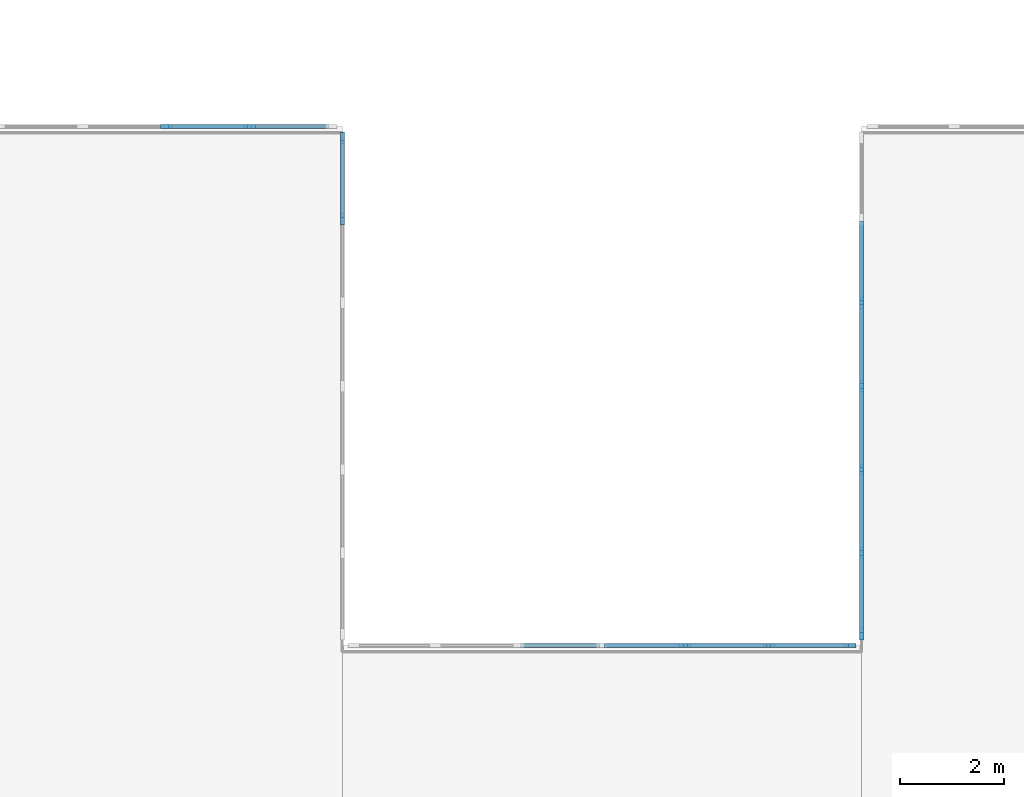
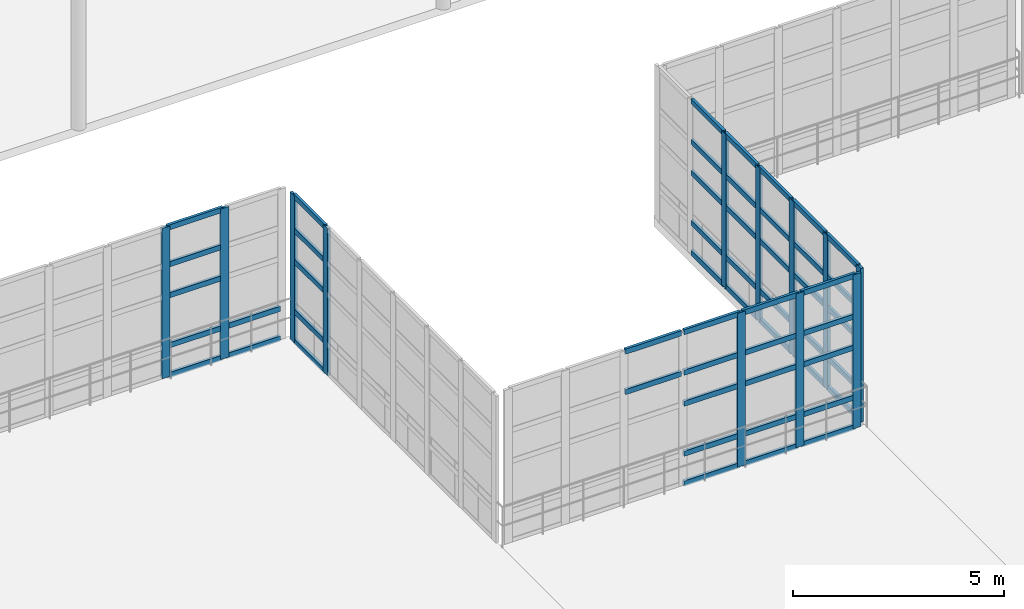
# One storey, part 55 of 139: 66 members, 4 elements without a shape of their own.
"""IFC4 building model written with IfcOpenShell, lengths in metres."""

from ifc_helpers import new_model, si_unit, direction, frame, origin, origin_2d, place, context, subcontext, project, spatial, rectangle, extrude, material, layer, layer_set, material_profile, profile_set, type_object, element, aggregate, save


model = new_model("IFC4")

# Units and contexts
model_context = context("Model", 3, precision=1e-05, world=origin(), true_north=direction((0.0, 1.0)))
body_context = subcontext(model_context, "Body", "Model", "MODEL_VIEW")
ifc_project = project(units=[si_unit("LENGTHUNIT", "METRE"), si_unit("AREAUNIT", "SQUARE_METRE"), si_unit("VOLUMEUNIT", "CUBIC_METRE"), si_unit("PLANEANGLEUNIT", "RADIAN"), si_unit("MASSUNIT", "GRAM", prefix="KILO"), si_unit("THERMODYNAMICTEMPERATUREUNIT", "KELVIN"), si_unit("POWERUNIT", "WATT")], contexts=[model_context])

# Site, building, storey
site_placement = place(None, origin())
site = spatial("IfcSite", under=ifc_project, at=site_placement, CompositionType="ELEMENT")
building_placement = place(site_placement, origin())
building = spatial("IfcBuilding", under=site, at=building_placement, Name="Korenveer Ferry Terminal", CompositionType="ELEMENT")
storey_placement = place(building_placement, frame((0.0, 0.0, 5.39990234375)))
storey = spatial("IfcBuildingStorey", under=building, at=storey_placement, Name="L01", CompositionType="ELEMENT", Elevation=5.39990234375)

# Curtain wall, members
ifc_material_1 = material(Name="Unitised bronze-and-glass curtain wall", Category="glass")
ifc_layer_1 = layer(ifc_material_1, 0.219970703125)
ifc_layer_set_1 = layer_set([ifc_layer_1], Name="Unitised bronze-and-glass curtain wall")
curtain_wall_type_1 = type_object("IfcCurtainWallType", Name="ENV-CW-52", PredefinedType="USERDEFINED", material=ifc_layer_set_1)
curtain_wall_1_placement = place(storey_placement, frame((83.179931640625, 80.0, 0.0)))
curtain_wall_1 = element("IfcCurtainWall", 1, at=curtain_wall_1_placement, inside=storey, type_object=curtain_wall_type_1, Name="Lancet curtain wall CWX-L01-X83-93-Y80-80", ObjectType="UNITISED CURTAIN WALL", PredefinedType="USERDEFINED")
ifc_material_2 = material(Name="Anodised bronze aluminium", Category="aluminium")
ifc_material_profile_1 = material_profile(ifc_material_2, rectangle(XDim=0.074951171875, YDim=0.219970703125, at=origin_2d()), Name="ALU 75x220")
ifc_profile_set_1 = profile_set([ifc_material_profile_1], Name="Anodised bronze aluminium")
member_type_1 = type_object("IfcMemberType", Name="ENV-CWM-75X220", PredefinedType="MULLION", material=ifc_profile_set_1)
member_1_placement = place(storey_placement, frame((89.606689453125, 80.0, 0.0), z_axis=(0.0, 0.0, 1.0), x_axis=(0.0, 1.0, 0.0)))
member_1 = element("IfcMember", 2, at=member_1_placement, type_object=member_type_1, Name="CW-52 mullion 5", PredefinedType="MULLION", context=body_context, shape_type="SweptSolid", body=[
    extrude(rectangle(XDim=0.074951171875, YDim=0.219970703125, at=origin_2d()), origin(), (0.0, 0.0, 1.0), 4.460205078125),
])
member_2_placement = place(storey_placement, frame((91.21337890625, 80.0, 0.0), z_axis=(0.0, 0.0, 1.0), x_axis=(0.0, 1.0, 0.0)))
member_2 = element("IfcMember", 3, at=member_2_placement, type_object=member_type_1, Name="CW-52 mullion 6", PredefinedType="MULLION", context=body_context, shape_type="SweptSolid", body=[
    extrude(rectangle(XDim=0.074951171875, YDim=0.219970703125, at=origin_2d()), origin(), (0.0, 0.0, 1.0), 4.460205078125),
])
member_3_placement = place(storey_placement, frame((92.782470703125, 80.0, 0.0), z_axis=(0.0, 0.0, 1.0), x_axis=(0.0, 1.0, 0.0)))
member_3 = element("IfcMember", 4, at=member_3_placement, type_object=member_type_1, Name="CW-52 mullion 7", PredefinedType="MULLION", context=body_context, shape_type="SweptSolid", body=[
    extrude(rectangle(XDim=0.074951171875, YDim=0.219970703125, at=origin_2d()), origin(), (0.0, 0.0, 1.0), 4.460205078125),
])

ifc_layer_2 = layer(ifc_material_1, 0.219970703125)
ifc_layer_set_2 = layer_set([ifc_layer_2], Name="Unitised bronze-and-glass curtain wall")
curtain_wall_type_2 = type_object("IfcCurtainWallType", Name="ENV-CW-54", PredefinedType="USERDEFINED", material=ifc_layer_set_2)
curtain_wall_2_placement = place(storey_placement, frame((73.179931640625, 90.0, 0.0)))
curtain_wall_2 = element("IfcCurtainWall", 5, at=curtain_wall_2_placement, inside=storey, type_object=curtain_wall_type_2, Name="Lancet curtain wall CWX-L01-X73-83-Y90-90", ObjectType="UNITISED CURTAIN WALL", PredefinedType="USERDEFINED")
member_4_placement = place(storey_placement, frame((79.606689453125, 90.0, 0.0), z_axis=(0.0, 0.0, 1.0), x_axis=(0.0, 1.0, 0.0)))
member_4 = element("IfcMember", 6, at=member_4_placement, type_object=member_type_1, Name="CW-54 mullion 5", PredefinedType="MULLION", context=body_context, shape_type="SweptSolid", body=[
    extrude(rectangle(XDim=0.074951171875, YDim=0.219970703125, at=origin_2d()), origin(), (0.0, 0.0, 1.0), 4.360107421875),
])
member_5_placement = place(storey_placement, frame((81.21337890625, 90.0, 0.0), z_axis=(0.0, 0.0, 1.0), x_axis=(0.0, 1.0, 0.0)))
member_5 = element("IfcMember", 7, at=member_5_placement, type_object=member_type_1, Name="CW-54 mullion 6", PredefinedType="MULLION", context=body_context, shape_type="SweptSolid", body=[
    extrude(rectangle(XDim=0.074951171875, YDim=0.219970703125, at=origin_2d()), origin(), (0.0, 0.0, 1.0), 4.360107421875),
])

ifc_layer_3 = layer(ifc_material_1, 0.219970703125)
ifc_layer_set_3 = layer_set([ifc_layer_3], Name="Unitised bronze-and-glass curtain wall")
curtain_wall_type_3 = type_object("IfcCurtainWallType", Name="ENV-CW-55", PredefinedType="USERDEFINED", material=ifc_layer_set_3)
curtain_wall_3_placement = place(storey_placement, frame((83.0, 89.820068359375, 0.0)))
curtain_wall_3 = element("IfcCurtainWall", 8, at=curtain_wall_3_placement, inside=storey, type_object=curtain_wall_type_3, Name="Lancet curtain wall CWX-L01-X83-83-Y80-90", ObjectType="UNITISED CURTAIN WALL", PredefinedType="USERDEFINED")
member_6_placement = place(storey_placement, frame((83.0, 89.782470703125, 0.0), z_axis=(0.0, 0.0, 1.0), x_axis=(1.0, 0.0, 0.0)))
member_6 = element("IfcMember", 9, at=member_6_placement, type_object=member_type_1, Name="CW-55 mullion 1", PredefinedType="MULLION", context=body_context, shape_type="SweptSolid", body=[
    extrude(rectangle(XDim=0.074951171875, YDim=0.219970703125, at=origin_2d()), origin(), (0.0, 0.0, 1.0), 4.260009765625),
])
member_7_placement = place(storey_placement, frame((83.0, 88.21337890625, 0.0), z_axis=(0.0, 0.0, 1.0), x_axis=(1.0, 0.0, 0.0)))
member_7 = element("IfcMember", 10, at=member_7_placement, type_object=member_type_1, Name="CW-55 mullion 2", PredefinedType="MULLION", context=body_context, shape_type="SweptSolid", body=[
    extrude(rectangle(XDim=0.074951171875, YDim=0.219970703125, at=origin_2d()), origin(), (0.0, 0.0, 1.0), 4.260009765625),
])

curtain_wall_4_placement = place(storey_placement, frame((93.0, 80.179931640625, 0.0)))
curtain_wall_4 = element("IfcCurtainWall", 11, at=curtain_wall_4_placement, inside=storey, type_object=curtain_wall_type_1, Name="Lancet curtain wall CWX-L01-X93-93-Y80-90", ObjectType="UNITISED CURTAIN WALL", PredefinedType="USERDEFINED")
member_8_placement = place(storey_placement, frame((93.0, 80.217529296875, 0.0), z_axis=(0.0, 0.0, 1.0), x_axis=(-1.0, 0.0, 0.0)))
member_8 = element("IfcMember", 12, at=member_8_placement, type_object=member_type_1, Name="CW-52 mullion 1", PredefinedType="MULLION", context=body_context, shape_type="SweptSolid", body=[
    extrude(rectangle(XDim=0.074951171875, YDim=0.219970703125, at=origin_2d()), origin(), (0.0, 0.0, 1.0), 4.460205078125),
])
member_9_placement = place(storey_placement, frame((93.0, 81.78662109375, 0.0), z_axis=(0.0, 0.0, 1.0), x_axis=(-1.0, 0.0, 0.0)))
member_9 = element("IfcMember", 13, at=member_9_placement, type_object=member_type_1, Name="CW-52 mullion 2", PredefinedType="MULLION", context=body_context, shape_type="SweptSolid", body=[
    extrude(rectangle(XDim=0.074951171875, YDim=0.219970703125, at=origin_2d()), origin(), (0.0, 0.0, 1.0), 4.460205078125),
])
member_10_placement = place(storey_placement, frame((93.0, 83.393310546875, 0.0), z_axis=(0.0, 0.0, 1.0), x_axis=(-1.0, 0.0, 0.0)))
member_10 = element("IfcMember", 14, at=member_10_placement, type_object=member_type_1, Name="CW-52 mullion 3", PredefinedType="MULLION", context=body_context, shape_type="SweptSolid", body=[
    extrude(rectangle(XDim=0.074951171875, YDim=0.219970703125, at=origin_2d()), origin(), (0.0, 0.0, 1.0), 4.460205078125),
])
member_11_placement = place(storey_placement, frame((93.0, 85.0, 0.0), z_axis=(0.0, 0.0, 1.0), x_axis=(-1.0, 0.0, 0.0)))
member_11 = element("IfcMember", 15, at=member_11_placement, type_object=member_type_1, Name="CW-52 mullion 4", PredefinedType="MULLION", context=body_context, shape_type="SweptSolid", body=[
    extrude(rectangle(XDim=0.074951171875, YDim=0.219970703125, at=origin_2d()), origin(), (0.0, 0.0, 1.0), 4.460205078125),
])
member_12_placement = place(storey_placement, frame((93.0, 86.606689453125, 0.0), z_axis=(0.0, 0.0, 1.0), x_axis=(-1.0, 0.0, 0.0)))
member_12 = element("IfcMember", 16, at=member_12_placement, type_object=member_type_1, Name="CW-52 mullion 5", PredefinedType="MULLION", context=body_context, shape_type="SweptSolid", body=[
    extrude(rectangle(XDim=0.074951171875, YDim=0.219970703125, at=origin_2d()), origin(), (0.0, 0.0, 1.0), 4.460205078125),
])

# Member
ifc_material_profile_2 = material_profile(ifc_material_2, rectangle(XDim=0.074951171875, YDim=0.14990234375, at=origin_2d()), Name="ALU 75x150")
ifc_profile_set_2 = profile_set([ifc_material_profile_2], Name="Anodised bronze aluminium")
member_type_2 = type_object("IfcMemberType", Name="ENV-CWT-75X150", PredefinedType="USERDEFINED", material=ifc_profile_set_2)
member_13_placement = place(storey_placement, frame((86.430908203125, 80.0, 3.25), z_axis=(1.0, 0.0, 0.0), x_axis=(0.0, 1.0, 0.0)))
member_13 = element("IfcMember", 17, at=member_13_placement, type_object=member_type_2, Name="CW-52 transom 3.4", ObjectType="TRANSOM", PredefinedType="USERDEFINED", context=body_context, shape_type="SweptSolid", body=[
    extrude(rectangle(XDim=0.074951171875, YDim=0.14990234375, at=origin_2d()), origin(), (0.0, 0.0, 1.0), 1.531494140625),
])

member_14_placement = place(storey_placement, frame((86.430908203125, 80.0, 4.422607421875), z_axis=(1.0, 0.0, 0.0), x_axis=(0.0, 1.0, 0.0)))
member_14 = element("IfcMember", 18, at=member_14_placement, type_object=member_type_2, Name="CW-52 transom 3.5", ObjectType="TRANSOM", PredefinedType="USERDEFINED", context=body_context, shape_type="SweptSolid", body=[
    extrude(rectangle(XDim=0.074951171875, YDim=0.14990234375, at=origin_2d()), origin(), (0.0, 0.0, 1.0), 1.531494140625),
])

member_15_placement = place(storey_placement, frame((88.03759765625, 80.0, 0.03759765625), z_axis=(1.0, 0.0, 0.0), x_axis=(0.0, 1.0, 0.0)))
member_15 = element("IfcMember", 19, at=member_15_placement, type_object=member_type_2, Name="CW-52 transom 4.1", ObjectType="TRANSOM", PredefinedType="USERDEFINED", context=body_context, shape_type="SweptSolid", body=[
    extrude(rectangle(XDim=0.074951171875, YDim=0.14990234375, at=origin_2d()), origin(), (0.0, 0.0, 1.0), 1.531494140625),
])

member_16_placement = place(storey_placement, frame((88.03759765625, 80.0, 0.900146484375), z_axis=(1.0, 0.0, 0.0), x_axis=(0.0, 1.0, 0.0)))
member_16 = element("IfcMember", 20, at=member_16_placement, type_object=member_type_2, Name="CW-52 transom 4.2", ObjectType="TRANSOM", PredefinedType="USERDEFINED", context=body_context, shape_type="SweptSolid", body=[
    extrude(rectangle(XDim=0.074951171875, YDim=0.14990234375, at=origin_2d()), origin(), (0.0, 0.0, 1.0), 1.531494140625),
])

member_17_placement = place(storey_placement, frame((88.03759765625, 80.0, 2.35009765625), z_axis=(1.0, 0.0, 0.0), x_axis=(0.0, 1.0, 0.0)))
member_17 = element("IfcMember", 21, at=member_17_placement, type_object=member_type_2, Name="CW-52 transom 4.3", ObjectType="TRANSOM", PredefinedType="USERDEFINED", context=body_context, shape_type="SweptSolid", body=[
    extrude(rectangle(XDim=0.074951171875, YDim=0.14990234375, at=origin_2d()), origin(), (0.0, 0.0, 1.0), 1.531494140625),
])

member_18_placement = place(storey_placement, frame((88.03759765625, 80.0, 3.25), z_axis=(1.0, 0.0, 0.0), x_axis=(0.0, 1.0, 0.0)))
member_18 = element("IfcMember", 22, at=member_18_placement, type_object=member_type_2, Name="CW-52 transom 4.4", ObjectType="TRANSOM", PredefinedType="USERDEFINED", context=body_context, shape_type="SweptSolid", body=[
    extrude(rectangle(XDim=0.074951171875, YDim=0.14990234375, at=origin_2d()), origin(), (0.0, 0.0, 1.0), 1.531494140625),
])

member_19_placement = place(storey_placement, frame((88.03759765625, 80.0, 4.422607421875), z_axis=(1.0, 0.0, 0.0), x_axis=(0.0, 1.0, 0.0)))
member_19 = element("IfcMember", 23, at=member_19_placement, type_object=member_type_2, Name="CW-52 transom 4.5", ObjectType="TRANSOM", PredefinedType="USERDEFINED", context=body_context, shape_type="SweptSolid", body=[
    extrude(rectangle(XDim=0.074951171875, YDim=0.14990234375, at=origin_2d()), origin(), (0.0, 0.0, 1.0), 1.531494140625),
])

member_20_placement = place(storey_placement, frame((89.644287109375, 80.0, 0.03759765625), z_axis=(1.0, 0.0, 0.0), x_axis=(0.0, 1.0, 0.0)))
member_20 = element("IfcMember", 24, at=member_20_placement, type_object=member_type_2, Name="CW-52 transom 5.1", ObjectType="TRANSOM", PredefinedType="USERDEFINED", context=body_context, shape_type="SweptSolid", body=[
    extrude(rectangle(XDim=0.074951171875, YDim=0.14990234375, at=origin_2d()), origin(), (0.0, 0.0, 1.0), 1.531494140625),
])

member_21_placement = place(storey_placement, frame((89.644287109375, 80.0, 0.900146484375), z_axis=(1.0, 0.0, 0.0), x_axis=(0.0, 1.0, 0.0)))
member_21 = element("IfcMember", 25, at=member_21_placement, type_object=member_type_2, Name="CW-52 transom 5.2", ObjectType="TRANSOM", PredefinedType="USERDEFINED", context=body_context, shape_type="SweptSolid", body=[
    extrude(rectangle(XDim=0.074951171875, YDim=0.14990234375, at=origin_2d()), origin(), (0.0, 0.0, 1.0), 1.531494140625),
])

member_22_placement = place(storey_placement, frame((89.644287109375, 80.0, 2.35009765625), z_axis=(1.0, 0.0, 0.0), x_axis=(0.0, 1.0, 0.0)))
member_22 = element("IfcMember", 26, at=member_22_placement, type_object=member_type_2, Name="CW-52 transom 5.3", ObjectType="TRANSOM", PredefinedType="USERDEFINED", context=body_context, shape_type="SweptSolid", body=[
    extrude(rectangle(XDim=0.074951171875, YDim=0.14990234375, at=origin_2d()), origin(), (0.0, 0.0, 1.0), 1.531494140625),
])

member_23_placement = place(storey_placement, frame((89.644287109375, 80.0, 3.25), z_axis=(1.0, 0.0, 0.0), x_axis=(0.0, 1.0, 0.0)))
member_23 = element("IfcMember", 27, at=member_23_placement, type_object=member_type_2, Name="CW-52 transom 5.4", ObjectType="TRANSOM", PredefinedType="USERDEFINED", context=body_context, shape_type="SweptSolid", body=[
    extrude(rectangle(XDim=0.074951171875, YDim=0.14990234375, at=origin_2d()), origin(), (0.0, 0.0, 1.0), 1.531494140625),
])

member_24_placement = place(storey_placement, frame((89.644287109375, 80.0, 4.422607421875), z_axis=(1.0, 0.0, 0.0), x_axis=(0.0, 1.0, 0.0)))
member_24 = element("IfcMember", 28, at=member_24_placement, type_object=member_type_2, Name="CW-52 transom 5.5", ObjectType="TRANSOM", PredefinedType="USERDEFINED", context=body_context, shape_type="SweptSolid", body=[
    extrude(rectangle(XDim=0.074951171875, YDim=0.14990234375, at=origin_2d()), origin(), (0.0, 0.0, 1.0), 1.531494140625),
])

member_25_placement = place(storey_placement, frame((91.250732421875, 80.0, 0.03759765625), z_axis=(1.0, 0.0, 0.0), x_axis=(0.0, 1.0, 0.0)))
member_25 = element("IfcMember", 29, at=member_25_placement, type_object=member_type_2, Name="CW-52 transom 6.1", ObjectType="TRANSOM", PredefinedType="USERDEFINED", context=body_context, shape_type="SweptSolid", body=[
    extrude(rectangle(XDim=0.074951171875, YDim=0.14990234375, at=origin_2d()), origin(), (0.0, 0.0, 1.0), 1.494384765625),
])

member_26_placement = place(storey_placement, frame((91.250732421875, 80.0, 0.900146484375), z_axis=(1.0, 0.0, 0.0), x_axis=(0.0, 1.0, 0.0)))
member_26 = element("IfcMember", 30, at=member_26_placement, type_object=member_type_2, Name="CW-52 transom 6.2", ObjectType="TRANSOM", PredefinedType="USERDEFINED", context=body_context, shape_type="SweptSolid", body=[
    extrude(rectangle(XDim=0.074951171875, YDim=0.14990234375, at=origin_2d()), origin(), (0.0, 0.0, 1.0), 1.494384765625),
])

member_27_placement = place(storey_placement, frame((91.250732421875, 80.0, 2.35009765625), z_axis=(1.0, 0.0, 0.0), x_axis=(0.0, 1.0, 0.0)))
member_27 = element("IfcMember", 31, at=member_27_placement, type_object=member_type_2, Name="CW-52 transom 6.3", ObjectType="TRANSOM", PredefinedType="USERDEFINED", context=body_context, shape_type="SweptSolid", body=[
    extrude(rectangle(XDim=0.074951171875, YDim=0.14990234375, at=origin_2d()), origin(), (0.0, 0.0, 1.0), 1.494384765625),
])

member_28_placement = place(storey_placement, frame((91.250732421875, 80.0, 3.25), z_axis=(1.0, 0.0, 0.0), x_axis=(0.0, 1.0, 0.0)))
member_28 = element("IfcMember", 32, at=member_28_placement, type_object=member_type_2, Name="CW-52 transom 6.4", ObjectType="TRANSOM", PredefinedType="USERDEFINED", context=body_context, shape_type="SweptSolid", body=[
    extrude(rectangle(XDim=0.074951171875, YDim=0.14990234375, at=origin_2d()), origin(), (0.0, 0.0, 1.0), 1.494384765625),
])

member_29_placement = place(storey_placement, frame((91.250732421875, 80.0, 4.422607421875), z_axis=(1.0, 0.0, 0.0), x_axis=(0.0, 1.0, 0.0)))
member_29 = element("IfcMember", 33, at=member_29_placement, type_object=member_type_2, Name="CW-52 transom 6.5", ObjectType="TRANSOM", PredefinedType="USERDEFINED", context=body_context, shape_type="SweptSolid", body=[
    extrude(rectangle(XDim=0.074951171875, YDim=0.14990234375, at=origin_2d()), origin(), (0.0, 0.0, 1.0), 1.494384765625),
])

aggregate(curtain_wall_1, [member_1, member_2, member_3, member_13, member_14, member_15, member_16, member_17, member_18, member_19, member_20, member_21, member_22, member_23, member_24, member_25, member_26, member_27, member_28, member_29])

member_30_placement = place(storey_placement, frame((79.644287109375, 90.0, 0.03759765625), z_axis=(1.0, 0.0, 0.0), x_axis=(0.0, 1.0, 0.0)))
member_30 = element("IfcMember", 34, at=member_30_placement, type_object=member_type_2, Name="CW-54 transom 5.1", ObjectType="TRANSOM", PredefinedType="USERDEFINED", context=body_context, shape_type="SweptSolid", body=[
    extrude(rectangle(XDim=0.074951171875, YDim=0.14990234375, at=origin_2d()), origin(), (0.0, 0.0, 1.0), 1.531494140625),
])

member_31_placement = place(storey_placement, frame((79.644287109375, 90.0, 0.900146484375), z_axis=(1.0, 0.0, 0.0), x_axis=(0.0, 1.0, 0.0)))
member_31 = element("IfcMember", 35, at=member_31_placement, type_object=member_type_2, Name="CW-54 transom 5.2", ObjectType="TRANSOM", PredefinedType="USERDEFINED", context=body_context, shape_type="SweptSolid", body=[
    extrude(rectangle(XDim=0.074951171875, YDim=0.14990234375, at=origin_2d()), origin(), (0.0, 0.0, 1.0), 1.531494140625),
])

member_32_placement = place(storey_placement, frame((79.644287109375, 90.0, 2.35009765625), z_axis=(1.0, 0.0, 0.0), x_axis=(0.0, 1.0, 0.0)))
member_32 = element("IfcMember", 36, at=member_32_placement, type_object=member_type_2, Name="CW-54 transom 5.3", ObjectType="TRANSOM", PredefinedType="USERDEFINED", context=body_context, shape_type="SweptSolid", body=[
    extrude(rectangle(XDim=0.074951171875, YDim=0.14990234375, at=origin_2d()), origin(), (0.0, 0.0, 1.0), 1.531494140625),
])

member_33_placement = place(storey_placement, frame((79.644287109375, 90.0, 3.25), z_axis=(1.0, 0.0, 0.0), x_axis=(0.0, 1.0, 0.0)))
member_33 = element("IfcMember", 37, at=member_33_placement, type_object=member_type_2, Name="CW-54 transom 5.4", ObjectType="TRANSOM", PredefinedType="USERDEFINED", context=body_context, shape_type="SweptSolid", body=[
    extrude(rectangle(XDim=0.074951171875, YDim=0.14990234375, at=origin_2d()), origin(), (0.0, 0.0, 1.0), 1.531494140625),
])

member_34_placement = place(storey_placement, frame((79.644287109375, 90.0, 4.322509765625), z_axis=(1.0, 0.0, 0.0), x_axis=(0.0, 1.0, 0.0)))
member_34 = element("IfcMember", 38, at=member_34_placement, type_object=member_type_2, Name="CW-54 transom 5.5", ObjectType="TRANSOM", PredefinedType="USERDEFINED", context=body_context, shape_type="SweptSolid", body=[
    extrude(rectangle(XDim=0.074951171875, YDim=0.14990234375, at=origin_2d()), origin(), (0.0, 0.0, 1.0), 1.531494140625),
])

member_35_placement = place(storey_placement, frame((81.250732421875, 90.0, 0.03759765625), z_axis=(1.0, 0.0, 0.0), x_axis=(0.0, 1.0, 0.0)))
member_35 = element("IfcMember", 39, at=member_35_placement, type_object=member_type_2, Name="CW-54 transom 6.1", ObjectType="TRANSOM", PredefinedType="USERDEFINED", context=body_context, shape_type="SweptSolid", body=[
    extrude(rectangle(XDim=0.074951171875, YDim=0.14990234375, at=origin_2d()), origin(), (0.0, 0.0, 1.0), 1.494384765625),
])

member_36_placement = place(storey_placement, frame((81.250732421875, 90.0, 0.900146484375), z_axis=(1.0, 0.0, 0.0), x_axis=(0.0, 1.0, 0.0)))
member_36 = element("IfcMember", 40, at=member_36_placement, type_object=member_type_2, Name="CW-54 transom 6.2", ObjectType="TRANSOM", PredefinedType="USERDEFINED", context=body_context, shape_type="SweptSolid", body=[
    extrude(rectangle(XDim=0.074951171875, YDim=0.14990234375, at=origin_2d()), origin(), (0.0, 0.0, 1.0), 1.494384765625),
])

aggregate(curtain_wall_2, [member_4, member_5, member_30, member_31, member_32, member_33, member_34, member_35, member_36])

member_37_placement = place(storey_placement, frame((83.0, 89.7451171875, 0.03759765625), z_axis=(0.0, -1.0, 0.0), x_axis=(1.0, 0.0, 0.0)))
member_37 = element("IfcMember", 41, at=member_37_placement, type_object=member_type_2, Name="CW-55 transom 1.1", ObjectType="TRANSOM", PredefinedType="USERDEFINED", context=body_context, shape_type="SweptSolid", body=[
    extrude(rectangle(XDim=0.074951171875, YDim=0.14990234375, at=origin_2d()), origin(), (0.0, 0.0, 1.0), 1.494384765625),
])

member_38_placement = place(storey_placement, frame((83.0, 89.7451171875, 0.900146484375), z_axis=(0.0, -1.0, 0.0), x_axis=(1.0, 0.0, 0.0)))
member_38 = element("IfcMember", 42, at=member_38_placement, type_object=member_type_2, Name="CW-55 transom 1.2", ObjectType="TRANSOM", PredefinedType="USERDEFINED", context=body_context, shape_type="SweptSolid", body=[
    extrude(rectangle(XDim=0.074951171875, YDim=0.14990234375, at=origin_2d()), origin(), (0.0, 0.0, 1.0), 1.494384765625),
])

member_39_placement = place(storey_placement, frame((83.0, 89.7451171875, 2.35009765625), z_axis=(0.0, -1.0, 0.0), x_axis=(1.0, 0.0, 0.0)))
member_39 = element("IfcMember", 43, at=member_39_placement, type_object=member_type_2, Name="CW-55 transom 1.3", ObjectType="TRANSOM", PredefinedType="USERDEFINED", context=body_context, shape_type="SweptSolid", body=[
    extrude(rectangle(XDim=0.074951171875, YDim=0.14990234375, at=origin_2d()), origin(), (0.0, 0.0, 1.0), 1.494384765625),
])

member_40_placement = place(storey_placement, frame((83.0, 89.7451171875, 3.25), z_axis=(0.0, -1.0, 0.0), x_axis=(1.0, 0.0, 0.0)))
member_40 = element("IfcMember", 44, at=member_40_placement, type_object=member_type_2, Name="CW-55 transom 1.4", ObjectType="TRANSOM", PredefinedType="USERDEFINED", context=body_context, shape_type="SweptSolid", body=[
    extrude(rectangle(XDim=0.074951171875, YDim=0.14990234375, at=origin_2d()), origin(), (0.0, 0.0, 1.0), 1.494384765625),
])

member_41_placement = place(storey_placement, frame((83.0, 89.7451171875, 4.22265625), z_axis=(0.0, -1.0, 0.0), x_axis=(1.0, 0.0, 0.0)))
member_41 = element("IfcMember", 45, at=member_41_placement, type_object=member_type_2, Name="CW-55 transom 1.5", ObjectType="TRANSOM", PredefinedType="USERDEFINED", context=body_context, shape_type="SweptSolid", body=[
    extrude(rectangle(XDim=0.074951171875, YDim=0.14990234375, at=origin_2d()), origin(), (0.0, 0.0, 1.0), 1.494384765625),
])

aggregate(curtain_wall_3, [member_6, member_7, member_37, member_38, member_39, member_40, member_41])

member_42_placement = place(storey_placement, frame((93.0, 80.2548828125, 0.03759765625), z_axis=(0.0, 1.0, 0.0), x_axis=(-1.0, 0.0, 0.0)))
member_42 = element("IfcMember", 46, at=member_42_placement, type_object=member_type_2, Name="CW-52 transom 1.1", ObjectType="TRANSOM", PredefinedType="USERDEFINED", context=body_context, shape_type="SweptSolid", body=[
    extrude(rectangle(XDim=0.074951171875, YDim=0.14990234375, at=origin_2d()), origin(), (0.0, 0.0, 1.0), 1.494384765625),
])

member_43_placement = place(storey_placement, frame((93.0, 80.2548828125, 0.900146484375), z_axis=(0.0, 1.0, 0.0), x_axis=(-1.0, 0.0, 0.0)))
member_43 = element("IfcMember", 47, at=member_43_placement, type_object=member_type_2, Name="CW-52 transom 1.2", ObjectType="TRANSOM", PredefinedType="USERDEFINED", context=body_context, shape_type="SweptSolid", body=[
    extrude(rectangle(XDim=0.074951171875, YDim=0.14990234375, at=origin_2d()), origin(), (0.0, 0.0, 1.0), 1.494384765625),
])

member_44_placement = place(storey_placement, frame((93.0, 80.2548828125, 2.35009765625), z_axis=(0.0, 1.0, 0.0), x_axis=(-1.0, 0.0, 0.0)))
member_44 = element("IfcMember", 48, at=member_44_placement, type_object=member_type_2, Name="CW-52 transom 1.3", ObjectType="TRANSOM", PredefinedType="USERDEFINED", context=body_context, shape_type="SweptSolid", body=[
    extrude(rectangle(XDim=0.074951171875, YDim=0.14990234375, at=origin_2d()), origin(), (0.0, 0.0, 1.0), 1.494384765625),
])

member_45_placement = place(storey_placement, frame((93.0, 80.2548828125, 3.25), z_axis=(0.0, 1.0, 0.0), x_axis=(-1.0, 0.0, 0.0)))
member_45 = element("IfcMember", 49, at=member_45_placement, type_object=member_type_2, Name="CW-52 transom 1.4", ObjectType="TRANSOM", PredefinedType="USERDEFINED", context=body_context, shape_type="SweptSolid", body=[
    extrude(rectangle(XDim=0.074951171875, YDim=0.14990234375, at=origin_2d()), origin(), (0.0, 0.0, 1.0), 1.494384765625),
])

member_46_placement = place(storey_placement, frame((93.0, 80.2548828125, 4.422607421875), z_axis=(0.0, 1.0, 0.0), x_axis=(-1.0, 0.0, 0.0)))
member_46 = element("IfcMember", 50, at=member_46_placement, type_object=member_type_2, Name="CW-52 transom 1.5", ObjectType="TRANSOM", PredefinedType="USERDEFINED", context=body_context, shape_type="SweptSolid", body=[
    extrude(rectangle(XDim=0.074951171875, YDim=0.14990234375, at=origin_2d()), origin(), (0.0, 0.0, 1.0), 1.494384765625),
])

member_47_placement = place(storey_placement, frame((93.0, 81.82421875, 0.03759765625), z_axis=(0.0, 1.0, 0.0), x_axis=(-1.0, 0.0, 0.0)))
member_47 = element("IfcMember", 51, at=member_47_placement, type_object=member_type_2, Name="CW-52 transom 2.1", ObjectType="TRANSOM", PredefinedType="USERDEFINED", context=body_context, shape_type="SweptSolid", body=[
    extrude(rectangle(XDim=0.074951171875, YDim=0.14990234375, at=origin_2d()), origin(), (0.0, 0.0, 1.0), 1.531494140625),
])

member_48_placement = place(storey_placement, frame((93.0, 81.82421875, 0.900146484375), z_axis=(0.0, 1.0, 0.0), x_axis=(-1.0, 0.0, 0.0)))
member_48 = element("IfcMember", 52, at=member_48_placement, type_object=member_type_2, Name="CW-52 transom 2.2", ObjectType="TRANSOM", PredefinedType="USERDEFINED", context=body_context, shape_type="SweptSolid", body=[
    extrude(rectangle(XDim=0.074951171875, YDim=0.14990234375, at=origin_2d()), origin(), (0.0, 0.0, 1.0), 1.531494140625),
])

member_49_placement = place(storey_placement, frame((93.0, 81.82421875, 2.35009765625), z_axis=(0.0, 1.0, 0.0), x_axis=(-1.0, 0.0, 0.0)))
member_49 = element("IfcMember", 53, at=member_49_placement, type_object=member_type_2, Name="CW-52 transom 2.3", ObjectType="TRANSOM", PredefinedType="USERDEFINED", context=body_context, shape_type="SweptSolid", body=[
    extrude(rectangle(XDim=0.074951171875, YDim=0.14990234375, at=origin_2d()), origin(), (0.0, 0.0, 1.0), 1.531494140625),
])

member_50_placement = place(storey_placement, frame((93.0, 81.82421875, 3.25), z_axis=(0.0, 1.0, 0.0), x_axis=(-1.0, 0.0, 0.0)))
member_50 = element("IfcMember", 54, at=member_50_placement, type_object=member_type_2, Name="CW-52 transom 2.4", ObjectType="TRANSOM", PredefinedType="USERDEFINED", context=body_context, shape_type="SweptSolid", body=[
    extrude(rectangle(XDim=0.074951171875, YDim=0.14990234375, at=origin_2d()), origin(), (0.0, 0.0, 1.0), 1.531494140625),
])

member_51_placement = place(storey_placement, frame((93.0, 81.82421875, 4.422607421875), z_axis=(0.0, 1.0, 0.0), x_axis=(-1.0, 0.0, 0.0)))
member_51 = element("IfcMember", 55, at=member_51_placement, type_object=member_type_2, Name="CW-52 transom 2.5", ObjectType="TRANSOM", PredefinedType="USERDEFINED", context=body_context, shape_type="SweptSolid", body=[
    extrude(rectangle(XDim=0.074951171875, YDim=0.14990234375, at=origin_2d()), origin(), (0.0, 0.0, 1.0), 1.531494140625),
])

member_52_placement = place(storey_placement, frame((93.0, 83.430908203125, 0.03759765625), z_axis=(0.0, 1.0, 0.0), x_axis=(-1.0, 0.0, 0.0)))
member_52 = element("IfcMember", 56, at=member_52_placement, type_object=member_type_2, Name="CW-52 transom 3.1", ObjectType="TRANSOM", PredefinedType="USERDEFINED", context=body_context, shape_type="SweptSolid", body=[
    extrude(rectangle(XDim=0.074951171875, YDim=0.14990234375, at=origin_2d()), origin(), (0.0, 0.0, 1.0), 1.531494140625),
])

member_53_placement = place(storey_placement, frame((93.0, 83.430908203125, 0.900146484375), z_axis=(0.0, 1.0, 0.0), x_axis=(-1.0, 0.0, 0.0)))
member_53 = element("IfcMember", 57, at=member_53_placement, type_object=member_type_2, Name="CW-52 transom 3.2", ObjectType="TRANSOM", PredefinedType="USERDEFINED", context=body_context, shape_type="SweptSolid", body=[
    extrude(rectangle(XDim=0.074951171875, YDim=0.14990234375, at=origin_2d()), origin(), (0.0, 0.0, 1.0), 1.531494140625),
])

member_54_placement = place(storey_placement, frame((93.0, 83.430908203125, 2.35009765625), z_axis=(0.0, 1.0, 0.0), x_axis=(-1.0, 0.0, 0.0)))
member_54 = element("IfcMember", 58, at=member_54_placement, type_object=member_type_2, Name="CW-52 transom 3.3", ObjectType="TRANSOM", PredefinedType="USERDEFINED", context=body_context, shape_type="SweptSolid", body=[
    extrude(rectangle(XDim=0.074951171875, YDim=0.14990234375, at=origin_2d()), origin(), (0.0, 0.0, 1.0), 1.531494140625),
])

member_55_placement = place(storey_placement, frame((93.0, 83.430908203125, 3.25), z_axis=(0.0, 1.0, 0.0), x_axis=(-1.0, 0.0, 0.0)))
member_55 = element("IfcMember", 59, at=member_55_placement, type_object=member_type_2, Name="CW-52 transom 3.4", ObjectType="TRANSOM", PredefinedType="USERDEFINED", context=body_context, shape_type="SweptSolid", body=[
    extrude(rectangle(XDim=0.074951171875, YDim=0.14990234375, at=origin_2d()), origin(), (0.0, 0.0, 1.0), 1.531494140625),
])

member_56_placement = place(storey_placement, frame((93.0, 83.430908203125, 4.422607421875), z_axis=(0.0, 1.0, 0.0), x_axis=(-1.0, 0.0, 0.0)))
member_56 = element("IfcMember", 60, at=member_56_placement, type_object=member_type_2, Name="CW-52 transom 3.5", ObjectType="TRANSOM", PredefinedType="USERDEFINED", context=body_context, shape_type="SweptSolid", body=[
    extrude(rectangle(XDim=0.074951171875, YDim=0.14990234375, at=origin_2d()), origin(), (0.0, 0.0, 1.0), 1.531494140625),
])

member_57_placement = place(storey_placement, frame((93.0, 85.03759765625, 0.03759765625), z_axis=(0.0, 1.0, 0.0), x_axis=(-1.0, 0.0, 0.0)))
member_57 = element("IfcMember", 61, at=member_57_placement, type_object=member_type_2, Name="CW-52 transom 4.1", ObjectType="TRANSOM", PredefinedType="USERDEFINED", context=body_context, shape_type="SweptSolid", body=[
    extrude(rectangle(XDim=0.074951171875, YDim=0.14990234375, at=origin_2d()), origin(), (0.0, 0.0, 1.0), 1.531494140625),
])

member_58_placement = place(storey_placement, frame((93.0, 85.03759765625, 0.900146484375), z_axis=(0.0, 1.0, 0.0), x_axis=(-1.0, 0.0, 0.0)))
member_58 = element("IfcMember", 62, at=member_58_placement, type_object=member_type_2, Name="CW-52 transom 4.2", ObjectType="TRANSOM", PredefinedType="USERDEFINED", context=body_context, shape_type="SweptSolid", body=[
    extrude(rectangle(XDim=0.074951171875, YDim=0.14990234375, at=origin_2d()), origin(), (0.0, 0.0, 1.0), 1.531494140625),
])

member_59_placement = place(storey_placement, frame((93.0, 85.03759765625, 2.35009765625), z_axis=(0.0, 1.0, 0.0), x_axis=(-1.0, 0.0, 0.0)))
member_59 = element("IfcMember", 63, at=member_59_placement, type_object=member_type_2, Name="CW-52 transom 4.3", ObjectType="TRANSOM", PredefinedType="USERDEFINED", context=body_context, shape_type="SweptSolid", body=[
    extrude(rectangle(XDim=0.074951171875, YDim=0.14990234375, at=origin_2d()), origin(), (0.0, 0.0, 1.0), 1.531494140625),
])

member_60_placement = place(storey_placement, frame((93.0, 85.03759765625, 3.25), z_axis=(0.0, 1.0, 0.0), x_axis=(-1.0, 0.0, 0.0)))
member_60 = element("IfcMember", 64, at=member_60_placement, type_object=member_type_2, Name="CW-52 transom 4.4", ObjectType="TRANSOM", PredefinedType="USERDEFINED", context=body_context, shape_type="SweptSolid", body=[
    extrude(rectangle(XDim=0.074951171875, YDim=0.14990234375, at=origin_2d()), origin(), (0.0, 0.0, 1.0), 1.531494140625),
])

member_61_placement = place(storey_placement, frame((93.0, 85.03759765625, 4.422607421875), z_axis=(0.0, 1.0, 0.0), x_axis=(-1.0, 0.0, 0.0)))
member_61 = element("IfcMember", 65, at=member_61_placement, type_object=member_type_2, Name="CW-52 transom 4.5", ObjectType="TRANSOM", PredefinedType="USERDEFINED", context=body_context, shape_type="SweptSolid", body=[
    extrude(rectangle(XDim=0.074951171875, YDim=0.14990234375, at=origin_2d()), origin(), (0.0, 0.0, 1.0), 1.531494140625),
])

member_62_placement = place(storey_placement, frame((93.0, 86.644287109375, 0.03759765625), z_axis=(0.0, 1.0, 0.0), x_axis=(-1.0, 0.0, 0.0)))
member_62 = element("IfcMember", 66, at=member_62_placement, type_object=member_type_2, Name="CW-52 transom 5.1", ObjectType="TRANSOM", PredefinedType="USERDEFINED", context=body_context, shape_type="SweptSolid", body=[
    extrude(rectangle(XDim=0.074951171875, YDim=0.14990234375, at=origin_2d()), origin(), (0.0, 0.0, 1.0), 1.531494140625),
])

member_63_placement = place(storey_placement, frame((93.0, 86.644287109375, 0.900146484375), z_axis=(0.0, 1.0, 0.0), x_axis=(-1.0, 0.0, 0.0)))
member_63 = element("IfcMember", 67, at=member_63_placement, type_object=member_type_2, Name="CW-52 transom 5.2", ObjectType="TRANSOM", PredefinedType="USERDEFINED", context=body_context, shape_type="SweptSolid", body=[
    extrude(rectangle(XDim=0.074951171875, YDim=0.14990234375, at=origin_2d()), origin(), (0.0, 0.0, 1.0), 1.531494140625),
])

member_64_placement = place(storey_placement, frame((93.0, 86.644287109375, 2.35009765625), z_axis=(0.0, 1.0, 0.0), x_axis=(-1.0, 0.0, 0.0)))
member_64 = element("IfcMember", 68, at=member_64_placement, type_object=member_type_2, Name="CW-52 transom 5.3", ObjectType="TRANSOM", PredefinedType="USERDEFINED", context=body_context, shape_type="SweptSolid", body=[
    extrude(rectangle(XDim=0.074951171875, YDim=0.14990234375, at=origin_2d()), origin(), (0.0, 0.0, 1.0), 1.531494140625),
])

member_65_placement = place(storey_placement, frame((93.0, 86.644287109375, 3.25), z_axis=(0.0, 1.0, 0.0), x_axis=(-1.0, 0.0, 0.0)))
member_65 = element("IfcMember", 69, at=member_65_placement, type_object=member_type_2, Name="CW-52 transom 5.4", ObjectType="TRANSOM", PredefinedType="USERDEFINED", context=body_context, shape_type="SweptSolid", body=[
    extrude(rectangle(XDim=0.074951171875, YDim=0.14990234375, at=origin_2d()), origin(), (0.0, 0.0, 1.0), 1.531494140625),
])

member_66_placement = place(storey_placement, frame((93.0, 86.644287109375, 4.422607421875), z_axis=(0.0, 1.0, 0.0), x_axis=(-1.0, 0.0, 0.0)))
member_66 = element("IfcMember", 70, at=member_66_placement, type_object=member_type_2, Name="CW-52 transom 5.5", ObjectType="TRANSOM", PredefinedType="USERDEFINED", context=body_context, shape_type="SweptSolid", body=[
    extrude(rectangle(XDim=0.074951171875, YDim=0.14990234375, at=origin_2d()), origin(), (0.0, 0.0, 1.0), 1.531494140625),
])

aggregate(curtain_wall_4, [member_8, member_9, member_10, member_11, member_12, member_42, member_43, member_44, member_45, member_46, member_47, member_48, member_49, member_50, member_51, member_52, member_53, member_54, member_55, member_56, member_57, member_58, member_59, member_60, member_61, member_62, member_63, member_64, member_65, member_66])

save(model, "model.ifc")
